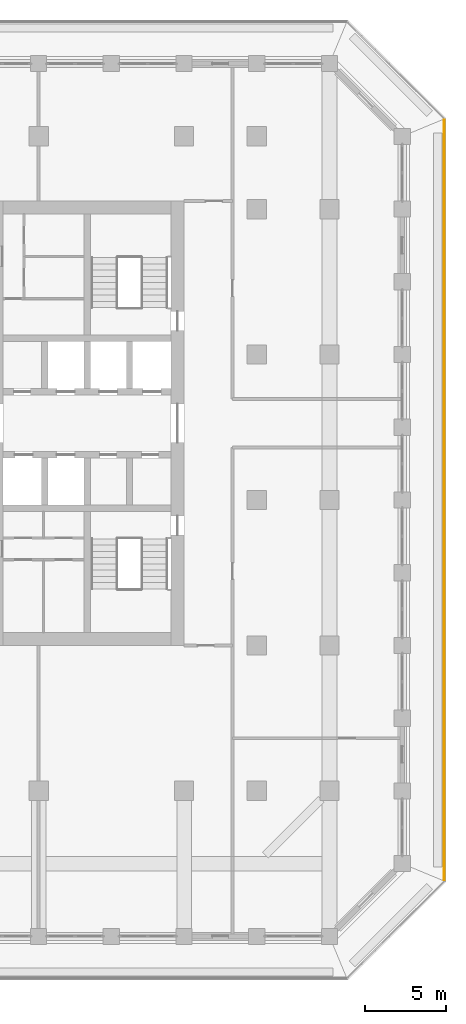
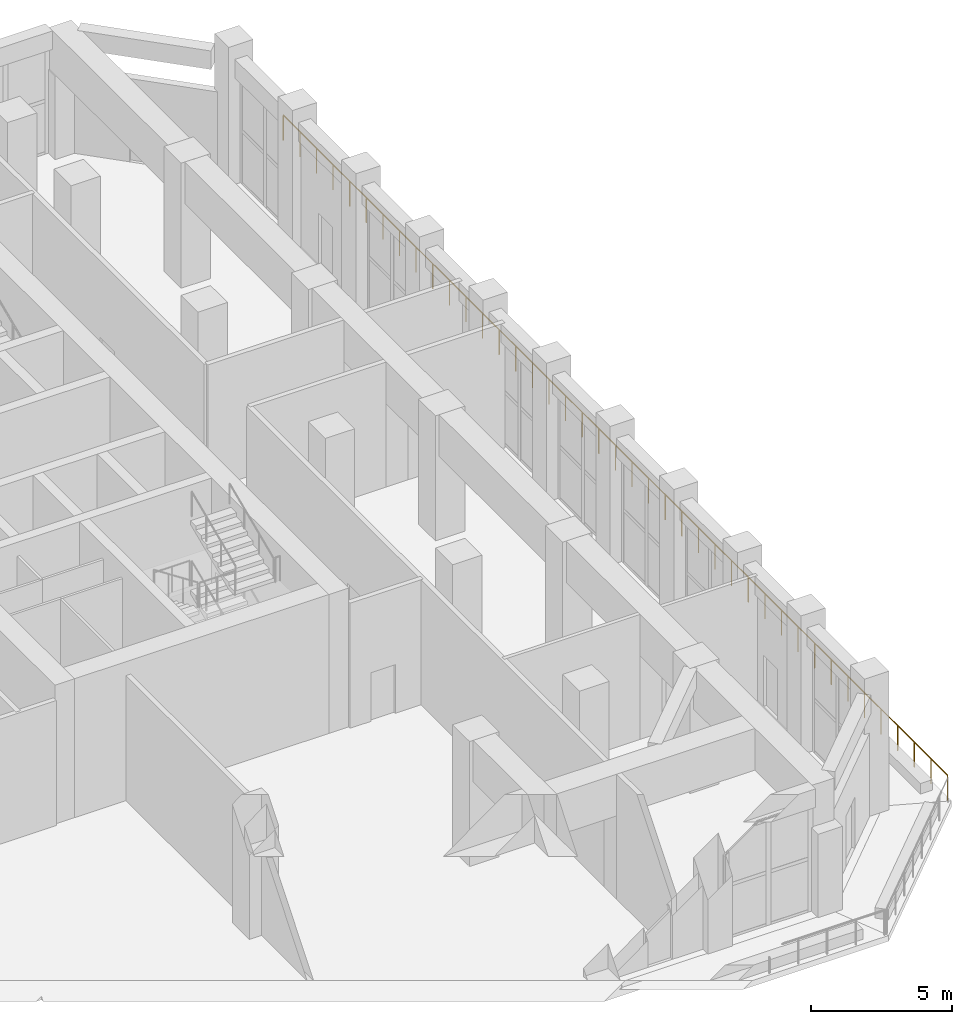
# One storey, part 21 of 25: 1 railing.
"""IFC4 building model written with IfcOpenShell, lengths in metres."""

from ifc_helpers import new_model, si_unit, direction, frame, origin, origin_2d, place, context, subcontext, project, spatial, circle, extrude, material, type_object, element, save


model = new_model("IFC4")

# Units and contexts
model_context = context("Model", 3, precision=1e-05, world=origin(), true_north=direction((0.0, 1.0)))
body_context = subcontext(model_context, "Body", "Model", "MODEL_VIEW")
ifc_project = project(units=[si_unit("LENGTHUNIT", "METRE"), si_unit("AREAUNIT", "SQUARE_METRE"), si_unit("VOLUMEUNIT", "CUBIC_METRE"), si_unit("PLANEANGLEUNIT", "RADIAN"), si_unit("MASSUNIT", "GRAM", prefix="KILO")], contexts=[model_context])

# Site, building, storey
site_placement = place(None, origin())
site = spatial("IfcSite", under=ifc_project, at=site_placement, CompositionType="ELEMENT")
building_placement = place(site_placement, origin())
building = spatial("IfcBuilding", under=site, at=building_placement, Name="Corbel Stack Research Tower", CompositionType="ELEMENT")
storey_placement = place(building_placement, frame((0.0, 0.0, 220.199951171875)))
storey = spatial("IfcBuildingStorey", under=building, at=storey_placement, Name="L50", CompositionType="ELEMENT", Elevation=220.199951171875)

# Railing
ifc_material = material(Name="Powder-coated steel guard", Category="steel")
railing_type = type_object("IfcRailingType", Name="Steel and glass guard 1100", PredefinedType="GUARDRAIL", material=ifc_material)
railing_placement = place(storey_placement, frame((34.10009765625, -23.50537109375, 0.0)))
element("IfcRailing", 1, at=railing_placement, inside=storey, type_object=railing_type, Name="Loggia guard L50 E", PredefinedType="GUARDRAIL", context=body_context, shape_type="SweptSolid", body=[
    extrude(circle(Radius=0.02392578125, at=origin_2d()), frame((0.0, 0.0, 1.076171875), z_axis=(0.0, 1.0, 0.0), x_axis=(-1.0, 0.0, 0.0)), (0.0, 0.0, 1.0), 47.0107421875),
    extrude(circle(Radius=0.02099609375, at=origin_2d()), origin(), (0.0, 0.0, 1.0), 1.052001953125),
    extrude(circle(Radius=0.02099609375, at=origin_2d()), frame((0.0, 1.17529296875, 0.0)), (0.0, 0.0, 1.0), 1.052001953125),
    extrude(circle(Radius=0.02099609375, at=origin_2d()), frame((0.0, 2.3505859375, 0.0)), (0.0, 0.0, 1.0), 1.052001953125),
    extrude(circle(Radius=0.02099609375, at=origin_2d()), frame((0.0, 3.52587890625, 0.0)), (0.0, 0.0, 1.0), 1.052001953125),
    extrude(circle(Radius=0.02099609375, at=origin_2d()), frame((0.0, 4.701171875, 0.0)), (0.0, 0.0, 1.0), 1.052001953125),
    extrude(circle(Radius=0.02099609375, at=origin_2d()), frame((0.0, 5.87646484375, 0.0)), (0.0, 0.0, 1.0), 1.052001953125),
    extrude(circle(Radius=0.02099609375, at=origin_2d()), frame((0.0, 7.051513671875, 0.0)), (0.0, 0.0, 1.0), 1.052001953125),
    extrude(circle(Radius=0.02099609375, at=origin_2d()), frame((0.0, 8.226806640625, 0.0)), (0.0, 0.0, 1.0), 1.052001953125),
    extrude(circle(Radius=0.02099609375, at=origin_2d()), frame((0.0, 9.402099609375, 0.0)), (0.0, 0.0, 1.0), 1.052001953125),
    extrude(circle(Radius=0.02099609375, at=origin_2d()), frame((0.0, 10.577392578125, 0.0)), (0.0, 0.0, 1.0), 1.052001953125),
    extrude(circle(Radius=0.02099609375, at=origin_2d()), frame((0.0, 11.752685546875, 0.0)), (0.0, 0.0, 1.0), 1.052001953125),
    extrude(circle(Radius=0.02099609375, at=origin_2d()), frame((0.0, 12.927978515625, 0.0)), (0.0, 0.0, 1.0), 1.052001953125),
    extrude(circle(Radius=0.02099609375, at=origin_2d()), frame((0.0, 14.103271484375, 0.0)), (0.0, 0.0, 1.0), 1.052001953125),
    extrude(circle(Radius=0.02099609375, at=origin_2d()), frame((0.0, 15.278564453125, 0.0)), (0.0, 0.0, 1.0), 1.052001953125),
    extrude(circle(Radius=0.02099609375, at=origin_2d()), frame((0.0, 16.453857421875, 0.0)), (0.0, 0.0, 1.0), 1.052001953125),
    extrude(circle(Radius=0.02099609375, at=origin_2d()), frame((0.0, 17.62890625, 0.0)), (0.0, 0.0, 1.0), 1.052001953125),
    extrude(circle(Radius=0.02099609375, at=origin_2d()), frame((0.0, 18.80419921875, 0.0)), (0.0, 0.0, 1.0), 1.052001953125),
    extrude(circle(Radius=0.02099609375, at=origin_2d()), frame((0.0, 19.9794921875, 0.0)), (0.0, 0.0, 1.0), 1.052001953125),
    extrude(circle(Radius=0.02099609375, at=origin_2d()), frame((0.0, 21.15478515625, 0.0)), (0.0, 0.0, 1.0), 1.052001953125),
    extrude(circle(Radius=0.02099609375, at=origin_2d()), frame((0.0, 22.330078125, 0.0)), (0.0, 0.0, 1.0), 1.052001953125),
    extrude(circle(Radius=0.02099609375, at=origin_2d()), frame((0.0, 23.50537109375, 0.0)), (0.0, 0.0, 1.0), 1.052001953125),
    extrude(circle(Radius=0.02099609375, at=origin_2d()), frame((0.0, 24.6806640625, 0.0)), (0.0, 0.0, 1.0), 1.052001953125),
    extrude(circle(Radius=0.02099609375, at=origin_2d()), frame((0.0, 25.85595703125, 0.0)), (0.0, 0.0, 1.0), 1.052001953125),
    extrude(circle(Radius=0.02099609375, at=origin_2d()), frame((0.0, 27.03125, 0.0)), (0.0, 0.0, 1.0), 1.052001953125),
    extrude(circle(Radius=0.02099609375, at=origin_2d()), frame((0.0, 28.20654296875, 0.0)), (0.0, 0.0, 1.0), 1.052001953125),
    extrude(circle(Radius=0.02099609375, at=origin_2d()), frame((0.0, 29.3818359375, 0.0)), (0.0, 0.0, 1.0), 1.052001953125),
    extrude(circle(Radius=0.02099609375, at=origin_2d()), frame((0.0, 30.556884765625, 0.0)), (0.0, 0.0, 1.0), 1.052001953125),
    extrude(circle(Radius=0.02099609375, at=origin_2d()), frame((0.0, 31.732177734375, 0.0)), (0.0, 0.0, 1.0), 1.052001953125),
    extrude(circle(Radius=0.02099609375, at=origin_2d()), frame((0.0, 32.907470703125, 0.0)), (0.0, 0.0, 1.0), 1.052001953125),
    extrude(circle(Radius=0.02099609375, at=origin_2d()), frame((0.0, 34.082763671875, 0.0)), (0.0, 0.0, 1.0), 1.052001953125),
    extrude(circle(Radius=0.02099609375, at=origin_2d()), frame((0.0, 35.258056640625, 0.0)), (0.0, 0.0, 1.0), 1.052001953125),
    extrude(circle(Radius=0.02099609375, at=origin_2d()), frame((0.0, 36.433349609375, 0.0)), (0.0, 0.0, 1.0), 1.052001953125),
    extrude(circle(Radius=0.02099609375, at=origin_2d()), frame((0.0, 37.608642578125, 0.0)), (0.0, 0.0, 1.0), 1.052001953125),
    extrude(circle(Radius=0.02099609375, at=origin_2d()), frame((0.0, 38.783935546875, 0.0)), (0.0, 0.0, 1.0), 1.052001953125),
    extrude(circle(Radius=0.02099609375, at=origin_2d()), frame((0.0, 39.959228515625, 0.0)), (0.0, 0.0, 1.0), 1.052001953125),
    extrude(circle(Radius=0.02099609375, at=origin_2d()), frame((0.0, 41.13427734375, 0.0)), (0.0, 0.0, 1.0), 1.052001953125),
    extrude(circle(Radius=0.02099609375, at=origin_2d()), frame((0.0, 42.3095703125, 0.0)), (0.0, 0.0, 1.0), 1.052001953125),
    extrude(circle(Radius=0.02099609375, at=origin_2d()), frame((0.0, 43.48486328125, 0.0)), (0.0, 0.0, 1.0), 1.052001953125),
    extrude(circle(Radius=0.02099609375, at=origin_2d()), frame((0.0, 44.66015625, 0.0)), (0.0, 0.0, 1.0), 1.052001953125),
    extrude(circle(Radius=0.02099609375, at=origin_2d()), frame((0.0, 45.83544921875, 0.0)), (0.0, 0.0, 1.0), 1.052001953125),
    extrude(circle(Radius=0.02099609375, at=origin_2d()), frame((0.0, 47.0107421875, 0.0)), (0.0, 0.0, 1.0), 1.052001953125),
])

save(model, "model.ifc")
